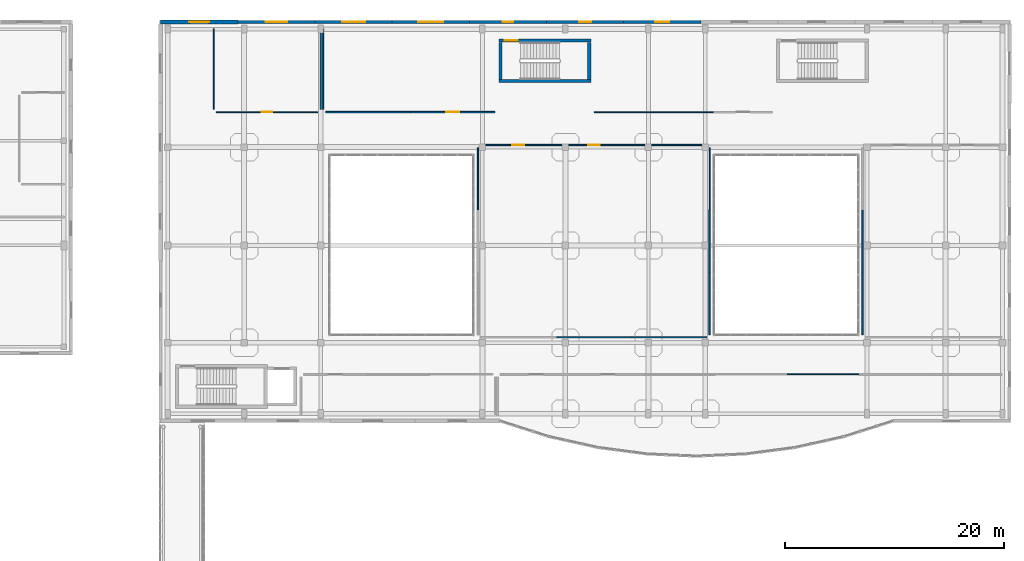
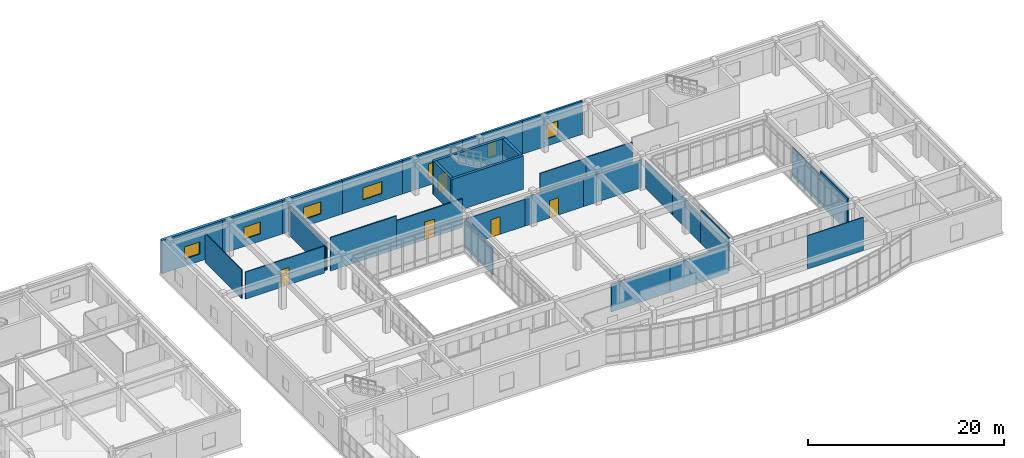
# One storey, part 126 of 142: 31 walls, 7 windows, 5 doors, 12 openings.
"""IFC4 building model written with IfcOpenShell, lengths in metres."""

import ifcopenshell
import ifcopenshell.guid

model = None  # the IFC model being written
_history = None  # IfcOwnerHistory: only IFC2X3 demands one
_inside = {}  # id of a spatial element -> (the spatial element, [elements in it])
_under = {}  # id of a project, library or spatial element -> (it, [spatial elements below it])
_declared = {}  # id of a project -> (the project, [libraries it declares])
_typed = {}  # id of a type object -> (the type object, [elements of that type])
_made_of = {}  # id of a material, layer set ... -> (it, [elements and type objects made of it])


def new_model(schema):
    """Start an empty IFC model of exactly this schema.

    Asked for "IFC4X3", IfcOpenShell would pick the latest addendum, in which some entities
    have other attributes; the version numbers below select the first issue.
    IFC2X3 requires an IfcOwnerHistory on every rooted entity: one is made here for all.
    """
    global model, _history
    if schema == "IFC4X3":
        model = ifcopenshell.file(schema_version=(4, 3, 0, 0))
    else:
        model = ifcopenshell.file(schema=schema)
    _inside.clear()
    _under.clear()
    _declared.clear()
    _typed.clear()
    _made_of.clear()
    _history = None
    if model.schema == "IFC2X3":
        org = make("IfcOrganization", Name="unknown")
        user = make(
            "IfcPersonAndOrganization",
            ThePerson=make("IfcPerson", FamilyName="unknown"),
            TheOrganization=org,
        )
        app = make(
            "IfcApplication",
            ApplicationDeveloper=org,
            Version="unknown",
            ApplicationFullName="unknown",
            ApplicationIdentifier="unknown",
        )
        _history = make(
            "IfcOwnerHistory",
            OwningUser=user,
            OwningApplication=app,
            ChangeAction="ADDED",
            CreationDate=0,
        )
    return model


def make(cls, **values):
    """One entity of the class cls with the attributes given. An attribute that is None is left unset."""
    return model.create_entity(
        cls, **{name: value for name, value in values.items() if value is not None}
    )


def rooted(cls, **values):
    """An entity with a GlobalId (a new one), such as an element, a storey or a relation."""
    return make(cls, GlobalId=ifcopenshell.guid.new(), OwnerHistory=_history, **values)


def si_unit(unit_type, name, prefix=None):
    """IfcSIUnit, for example si_unit("LENGTHUNIT", "METRE", prefix="MILLI")."""
    return make("IfcSIUnit", UnitType=unit_type, Prefix=prefix, Name=name)


def assignment(units):
    """IfcUnitAssignment: the units of a project."""
    return None if units is None else make("IfcUnitAssignment", Units=units)


def point(xyz):
    """IfcCartesianPoint."""
    return None if xyz is None else make("IfcCartesianPoint", Coordinates=xyz)


def direction(xyz):
    """IfcDirection."""
    return None if xyz is None else make("IfcDirection", DirectionRatios=xyz)


def frame(location, z_axis=None, x_axis=None):
    """IfcAxis2Placement3D, a coordinate frame: its origin and axes. An axis left out is left unset."""
    return make(
        "IfcAxis2Placement3D",
        Location=point(location),
        Axis=direction(z_axis),
        RefDirection=direction(x_axis),
    )


def frame_2d(location, x_axis=None):
    """IfcAxis2Placement2D, a coordinate frame in the plane: its origin and x axis."""
    return make(
        "IfcAxis2Placement2D", Location=point(location), RefDirection=direction(x_axis)
    )


def origin():
    """The frame at (0, 0, 0) with its axes left unset."""
    return frame((0.0, 0.0, 0.0))


def place(relative_to, where):
    """IfcLocalPlacement: puts the frame where relative to a parent placement (None: the world)."""
    return make(
        "IfcLocalPlacement", PlacementRelTo=relative_to, RelativePlacement=where
    )


def context(
    kind, dimensions, precision=None, world=None, true_north=None, identifier=None
):
    """IfcGeometricRepresentationContext, for example the 3D "Model" context."""
    return make(
        "IfcGeometricRepresentationContext",
        ContextIdentifier=identifier,
        ContextType=kind,
        CoordinateSpaceDimension=dimensions,
        Precision=precision,
        WorldCoordinateSystem=world,
        TrueNorth=true_north,
    )


def subcontext(parent, identifier, kind, view, scale=None):
    """IfcGeometricRepresentationSubContext, for example "Body" below "Model"."""
    return make(
        "IfcGeometricRepresentationSubContext",
        ContextIdentifier=identifier,
        ContextType=kind,
        ParentContext=parent,
        TargetScale=scale,
        TargetView=view,
    )


def project(units=None, contexts=None):
    """IfcProject with its units and contexts."""
    return rooted(
        "IfcProject",
        Name="project",
        RepresentationContexts=contexts,
        UnitsInContext=assignment(units),
    )


def spatial(cls, under=None, at=None, **own):
    """A site, building, storey or space (cls), placed at a placement, below another one or the project."""
    s = rooted(cls, ObjectPlacement=at, **own)
    if under is not None:
        _under.setdefault(under.id(), (under, []))[1].append(s)
    return s


def profile(cls, at=None, kind="AREA", **sizes):
    """A parametric profile (cls). Its sizes go by their IFC names, for example OverallWidth=200.0."""
    return make(cls, ProfileType=kind, Position=at, **sizes)


def rectangle(**sizes):
    """IfcRectangleProfileDef."""
    return profile("IfcRectangleProfileDef", **sizes)


def extrude(swept, where, along, depth):
    """IfcExtrudedAreaSolid: the profile swept, set in the frame where, extruded along a direction by depth."""
    return make(
        "IfcExtrudedAreaSolid",
        SweptArea=swept,
        Position=where,
        ExtrudedDirection=direction(along),
        Depth=depth,
    )


def shape(context_of_items, identifier, shape_type, items):
    """IfcShapeRepresentation: the items that make up one representation, for example the "Body"."""
    return make(
        "IfcShapeRepresentation",
        ContextOfItems=context_of_items,
        RepresentationIdentifier=identifier,
        RepresentationType=shape_type,
        Items=items,
    )


def material(Name=None, Category=None):
    """IfcMaterial."""
    return make("IfcMaterial", Name=Name, Category=Category)


def layer(
    of_material, thickness, ventilated=None, Name=None, Category=None, Priority=None
):
    """IfcMaterialLayer: one layer of a wall or slab, of a material (None: an air gap)."""
    return make(
        "IfcMaterialLayer",
        Material=of_material,
        LayerThickness=thickness,
        IsVentilated=ventilated,
        Name=Name,
        Category=Category,
        Priority=Priority,
    )


def layer_set(layers, Name=None):
    """IfcMaterialLayerSet."""
    return make("IfcMaterialLayerSet", MaterialLayers=layers, LayerSetName=Name)


def made_of(thing, what):
    """Note that an element or type object is made of a material, layer set ...; save() writes the relation."""
    if what is not None:
        _made_of.setdefault(what.id(), (what, []))[1].append(thing)
    return thing


def type_object(cls, material=None, **own):
    """A type object (cls), such as IfcWallType, which elements share."""
    return made_of(rooted(cls, **own), material)


def element(
    cls,
    number,
    at=None,
    inside=None,
    cuts=None,
    type_object=None,
    material=None,
    context=None,
    identifier="Body",
    shape_type=None,
    held_by="IfcProductDefinitionShape",
    body=None,
    shapes=None,
    **own,
):
    """One element of the class cls, such as IfcWall. Its Tag is "e" and its number.

    at: its placement. inside: the storey or other place that contains it. cuts: it is an
    opening in that element (IfcRelVoidsElement). A single representation is given by context,
    identifier, shape_type and body (its items); several are given by shapes. held_by: the class
    of the entity that holds the representations. save() writes the other relations.
    """
    e = rooted(cls, Tag="e%d" % number, ObjectPlacement=at, **own)
    if body is not None:
        shapes = [shape(context, identifier, shape_type, body)]
    if shapes is not None:
        e.Representation = make(held_by, Representations=shapes)
    if inside is not None:
        _inside.setdefault(inside.id(), (inside, []))[1].append(e)
    if cuts is not None:
        rooted(
            "IfcRelVoidsElement", RelatingBuildingElement=cuts, RelatedOpeningElement=e
        )
    if type_object is not None:
        _typed.setdefault(type_object.id(), (type_object, []))[1].append(e)
    return made_of(e, material)


def fill(opening, filler):
    """IfcRelFillsElement: the door or window that sits in an opening."""
    return rooted(
        "IfcRelFillsElement",
        RelatingOpeningElement=opening,
        RelatedBuildingElement=filler,
    )


def aggregate(whole, parts):
    """IfcRelAggregates: a whole, such as a stair, and the parts it consists of."""
    return rooted("IfcRelAggregates", RelatingObject=whole, RelatedObjects=parts)


def save(model, path):
    """Write the relations noted so far, then the file.

    IfcRelAggregates (storeys below a building ...), IfcRelContainedInSpatialStructure (elements
    in a storey), IfcRelDefinesByType, IfcRelAssociatesMaterial and IfcRelDeclares: one each for
    every whole, place, type object, material and project.
    """
    for whole, parts in _under.values():
        aggregate(whole, parts)
    for where, things in _inside.values():
        rooted(
            "IfcRelContainedInSpatialStructure",
            RelatedElements=things,
            RelatingStructure=where,
        )
    for kind, things in _typed.values():
        rooted("IfcRelDefinesByType", RelatedObjects=things, RelatingType=kind)
    for what, things in _made_of.values():
        rooted("IfcRelAssociatesMaterial", RelatedObjects=things, RelatingMaterial=what)
    for by, libraries in _declared.values():
        rooted("IfcRelDeclares", RelatingContext=by, RelatedDefinitions=libraries)
    model.write(path)


model = new_model("IFC4")

# Units and contexts
model_context = context("Model", 3, precision=1e-05, world=origin(), true_north=direction((0.0, 1.0)))
body_context = subcontext(model_context, "Body", "Model", "MODEL_VIEW")
ifc_project = project(units=[si_unit("LENGTHUNIT", "METRE"), si_unit("AREAUNIT", "SQUARE_METRE"), si_unit("VOLUMEUNIT", "CUBIC_METRE"), si_unit("PLANEANGLEUNIT", "RADIAN"), si_unit("MASSUNIT", "GRAM", prefix="KILO")], contexts=[model_context])

# Site, building, storey
site_placement = place(None, origin())
site = spatial("IfcSite", under=ifc_project, at=site_placement, CompositionType="ELEMENT")
building_placement = place(site_placement, origin())
building = spatial("IfcBuilding", under=site, at=building_placement, Name="Valcora Specialist Clinic", CompositionType="ELEMENT")
storey_placement = place(building_placement, frame((0.0, 0.0, 5.10009765625)))
storey = spatial("IfcBuildingStorey", under=building, at=storey_placement, Name="L01", CompositionType="ELEMENT", Elevation=5.10009765625)

# Wall
ifc_material_1 = material(Name="Concrete C40/50", Category="concrete")
ifc_layer_1 = layer(ifc_material_1, 0.300048828125)
ifc_layer_set_1 = layer_set([ifc_layer_1], Name="Concrete C40/50")
wall_type_1 = type_object("IfcWallType", Name="TY-WL-CR300", PredefinedType="SHEAR", material=ifc_layer_set_1)
wall_1_placement = place(storey_placement, frame((92.300048828125, 105.25, 0.0), z_axis=(0.0, 0.0, 1.0), x_axis=(1.0, 0.0, 0.0)))
element("IfcWall", 1, at=wall_1_placement, inside=storey, type_object=wall_type_1, Name="Core shear wall WL-CR-C-V4B-L01-S", PredefinedType="SHEAR", context=body_context, shape_type="SweptSolid", body=[
    extrude(rectangle(XDim=8.419921875, YDim=0.300048828125, at=frame_2d((4.2099609375, 0.0))), origin(), (0.0, 0.0, 1.0), 4.14501953125),
])

# Wall, opening, door
wall_2_placement = place(storey_placement, frame((92.300048828125, 108.949951171875, 0.0), z_axis=(0.0, 0.0, 1.0), x_axis=(1.0, 0.0, 0.0)))
wall_2 = element("IfcWall", 2, at=wall_2_placement, inside=storey, type_object=wall_type_1, Name="Core shear wall WL-CR-C-V4B-L01-N", PredefinedType="SHEAR", context=body_context, shape_type="SweptSolid", body=[
    extrude(rectangle(XDim=8.419921875, YDim=0.300048828125, at=frame_2d((4.2099609375, 0.0))), origin(), (0.0, 0.0, 1.0), 4.14501953125),
])
opening_1_placement = place(wall_2_placement, frame((0.550048828125, 0.0, 0.0)))
opening_1 = element("IfcOpeningElement", 3, at=opening_1_placement, cuts=wall_2, Name="Opening DR-FD-120", PredefinedType="OPENING", context=body_context, shape_type="SweptSolid", body=[
    extrude(rectangle(XDim=1.199951171875, YDim=2.199951171875, at=frame_2d((0.60009765625, 1.10009765625))), frame((0.0, 0.159912109375, 0.0), z_axis=(0.0, -1.0, 0.0), x_axis=(1.0, 0.0, 0.0)), (0.0, 0.0, 1.0), 0.320068359375),
])
ifc_material_2 = material(Name="Galvanized Hollow Metal Door Steel ASTM A653", Category="steel")
door_type_1 = type_object("IfcDoorType", Name="TY-DR-ST120", OperationType="NOTDEFINED", PredefinedType="DOOR", material=ifc_material_2)
door_1_placement = place(opening_1_placement, origin())
door_1 = element("IfcDoor", 4, at=door_1_placement, inside=storey, type_object=door_type_1, Name="Exit stair fire door C-V4B L01", OperationType="SINGLE_SWING_LEFT", OverallHeight=2.199951171875, OverallWidth=1.199951171875, PredefinedType="DOOR", context=body_context, shape_type="SweptSolid", body=[
    extrude(rectangle(XDim=1.199951171875, YDim=2.199951171875, at=frame_2d((0.60009765625, 1.10009765625))), frame((0.0, 0.02490234375, 0.0), z_axis=(0.0, -1.0, 0.0), x_axis=(1.0, 0.0, 0.0)), (0.0, 0.0, 1.0), 0.050048828125),
])
fill(opening_1, door_1)

# Walls
wall_3_placement = place(storey_placement, frame((92.449951171875, 105.402099609375, 0.0), z_axis=(0.0, 0.0, 1.0), x_axis=(0.0, 1.0, 0.0)))
element("IfcWall", 5, at=wall_3_placement, inside=storey, type_object=wall_type_1, Name="Core shear wall WL-CR-C-V4B-L01-W", PredefinedType="SHEAR", context=body_context, shape_type="SweptSolid", body=[
    extrude(rectangle(XDim=3.39599609375, YDim=0.300048828125, at=frame_2d((1.697998046875, 0.0))), origin(), (0.0, 0.0, 1.0), 4.14501953125),
])
ifc_layer_2 = layer(ifc_material_1, 0.320068359375)
ifc_layer_set_2 = layer_set([ifc_layer_2], Name="Concrete C40/50")
wall_type_2 = type_object("IfcWallType", Name="TY-WL-CR320", PredefinedType="SHEAR", material=ifc_layer_set_2)
wall_4_placement = place(storey_placement, frame((100.56005859375, 105.402099609375, 0.0), z_axis=(0.0, 0.0, 1.0), x_axis=(0.0, 1.0, 0.0)))
element("IfcWall", 6, at=wall_4_placement, inside=storey, type_object=wall_type_2, Name="Core shear wall WL-CR-C-V4B-L01-E", PredefinedType="SHEAR", context=body_context, shape_type="SweptSolid", body=[
    extrude(rectangle(XDim=3.39599609375, YDim=0.320068359375, at=frame_2d((1.697998046875, 0.0))), origin(), (0.0, 0.0, 1.0), 4.14501953125),
])

# Wall, opening, window
ifc_material_3 = material(Name="Extruded Jalisco Clay Brick Masonry", Category="masonry")
ifc_layer_3 = layer(ifc_material_3, 0.235107421875)
ifc_layer_set_3 = layer_set([ifc_layer_3], Name="Extruded Jalisco Clay Brick Masonry")
wall_type_3 = type_object("IfcWallType", Name="TY-WL-EW235", PredefinedType="SOLIDWALL", material=ifc_layer_set_3)
wall_5_placement = place(storey_placement, frame((103.731689453125, 110.64990234375, 0.0), z_axis=(0.0, 0.0, 1.0), x_axis=(1.0, 0.0, 0.0)))
wall_5 = element("IfcWall", 7, at=wall_5_placement, inside=storey, type_object=wall_type_3, Name="Exterior wall WL-EXT-L01-0160", PredefinedType="SOLIDWALL", context=body_context, shape_type="SweptSolid", body=[
    extrude(rectangle(XDim=7.063720703125, YDim=0.235107421875, at=frame_2d((3.53173828125, 0.0))), origin(), (0.0, 0.0, 1.0), 4.14501953125),
])
opening_2_placement = place(wall_5_placement, frame((2.906982421875, 0.0, 0.89990234375)))
opening_2 = element("IfcOpeningElement", 8, at=opening_2_placement, cuts=wall_5, Name="Opening WN-13", PredefinedType="OPENING", context=body_context, shape_type="SweptSolid", body=[
    extrude(rectangle(XDim=1.25, YDim=1.75, at=frame_2d((0.625, 0.875))), frame((0.0, 0.12744140625, 0.0), z_axis=(0.0, -1.0, 0.0), x_axis=(1.0, 0.0, 0.0)), (0.0, 0.0, 1.0), 0.255126953125),
])
ifc_material_4 = material(Name="Low-E Laminated Insulating Glass", Category="glass")
window_type_1 = type_object("IfcWindowType", Name="TY-WN-13", PartitioningType="SINGLE_PANEL", PredefinedType="WINDOW", material=ifc_material_4)
window_1_placement = place(opening_2_placement, origin())
window_1 = element("IfcWindow", 9, at=window_1_placement, inside=storey, type_object=window_type_1, Name="Facade window WN-L01-0139", OverallHeight=1.75, OverallWidth=1.25, PartitioningType="SINGLE_PANEL", PredefinedType="WINDOW", context=body_context, shape_type="SweptSolid", body=[
    extrude(rectangle(XDim=1.25, YDim=1.75, at=frame_2d((0.625, 0.875))), frame((0.0, 0.030029296875, 0.0), z_axis=(0.0, -1.0, 0.0), x_axis=(1.0, 0.0, 0.0)), (0.0, 0.0, 1.0), 0.06005859375),
])
fill(opening_2, window_1)

ifc_layer_4 = layer(ifc_material_3, 0.25)
ifc_layer_set_4 = layer_set([ifc_layer_4], Name="Extruded Jalisco Clay Brick Masonry")
wall_type_4 = type_object("IfcWallType", Name="TY-WL-EW250", PredefinedType="SOLIDWALL", material=ifc_layer_set_4)
wall_6_placement = place(storey_placement, frame((96.668212890625, 110.64990234375, 0.0), z_axis=(0.0, 0.0, 1.0), x_axis=(1.0, 0.0, 0.0)))
wall_6 = element("IfcWall", 10, at=wall_6_placement, inside=storey, type_object=wall_type_4, Name="Exterior wall WL-EXT-L01-0159", PredefinedType="SOLIDWALL", context=body_context, shape_type="SweptSolid", body=[
    extrude(rectangle(XDim=7.0634765625, YDim=0.25, at=frame_2d((3.53173828125, 0.0))), origin(), (0.0, 0.0, 1.0), 4.14501953125),
])
opening_3_placement = place(wall_6_placement, frame((2.98193359375, 0.0, 0.89990234375)))
opening_3 = element("IfcOpeningElement", 11, at=opening_3_placement, cuts=wall_6, Name="Opening WN-12", PredefinedType="OPENING", context=body_context, shape_type="SweptSolid", body=[
    extrude(rectangle(XDim=1.10009765625, YDim=1.75, at=frame_2d((0.550048828125, 0.875))), frame((0.0, 0.135009765625, 0.0), z_axis=(0.0, -1.0, 0.0), x_axis=(1.0, 0.0, 0.0)), (0.0, 0.0, 1.0), 0.27001953125),
])
window_type_2 = type_object("IfcWindowType", Name="TY-WN-12", PartitioningType="SINGLE_PANEL", PredefinedType="WINDOW", material=ifc_material_4)
window_2_placement = place(opening_3_placement, origin())
window_2 = element("IfcWindow", 12, at=window_2_placement, inside=storey, type_object=window_type_2, Name="Facade window WN-L01-0138", OverallHeight=1.75, OverallWidth=1.10009765625, PartitioningType="SINGLE_PANEL", PredefinedType="WINDOW", context=body_context, shape_type="SweptSolid", body=[
    extrude(rectangle(XDim=1.10009765625, YDim=1.75, at=frame_2d((0.550048828125, 0.875))), frame((0.0, 0.030029296875, 0.0), z_axis=(0.0, -1.0, 0.0), x_axis=(1.0, 0.0, 0.0)), (0.0, 0.0, 1.0), 0.06005859375),
])
fill(opening_3, window_2)

ifc_layer_5 = layer(ifc_material_3, 0.264892578125)
ifc_layer_set_5 = layer_set([ifc_layer_5], Name="Extruded Jalisco Clay Brick Masonry")
wall_type_5 = type_object("IfcWallType", Name="TY-WL-EW265", PredefinedType="SOLIDWALL", material=ifc_layer_set_5)
wall_7_placement = place(storey_placement, frame((89.6044921875, 110.64990234375, 0.0), z_axis=(0.0, 0.0, 1.0), x_axis=(1.0, 0.0, 0.0)))
wall_7 = element("IfcWall", 13, at=wall_7_placement, inside=storey, type_object=wall_type_5, Name="Exterior wall WL-EXT-L01-0158", PredefinedType="SOLIDWALL", context=body_context, shape_type="SweptSolid", body=[
    extrude(rectangle(XDim=7.063720703125, YDim=0.264892578125, at=frame_2d((3.53173828125, 0.0))), origin(), (0.0, 0.0, 1.0), 4.14501953125),
])
opening_4_placement = place(wall_7_placement, frame((3.056884765625, 0.0, 0.89990234375)))
opening_4 = element("IfcOpeningElement", 14, at=opening_4_placement, cuts=wall_7, Name="Opening WN-11", PredefinedType="OPENING", context=body_context, shape_type="SweptSolid", body=[
    extrude(rectangle(XDim=0.949951171875, YDim=1.75, at=frame_2d((0.47509765625, 0.875))), frame((0.0, 0.142333984375, 0.0), z_axis=(0.0, -1.0, 0.0), x_axis=(1.0, 0.0, 0.0)), (0.0, 0.0, 1.0), 0.284912109375),
])
window_type_3 = type_object("IfcWindowType", Name="TY-WN-11", PartitioningType="SINGLE_PANEL", PredefinedType="WINDOW", material=ifc_material_4)
window_3_placement = place(opening_4_placement, origin())
window_3 = element("IfcWindow", 15, at=window_3_placement, inside=storey, type_object=window_type_3, Name="Facade window WN-L01-0137", OverallHeight=1.75, OverallWidth=0.949951171875, PartitioningType="SINGLE_PANEL", PredefinedType="WINDOW", context=body_context, shape_type="SweptSolid", body=[
    extrude(rectangle(XDim=0.949951171875, YDim=1.75, at=frame_2d((0.47509765625, 0.875))), frame((0.0, 0.030029296875, 0.0), z_axis=(0.0, -1.0, 0.0), x_axis=(1.0, 0.0, 0.0)), (0.0, 0.0, 1.0), 0.06005859375),
])
fill(opening_4, window_3)

ifc_layer_6 = layer(ifc_material_3, 0.280029296875)
ifc_layer_set_6 = layer_set([ifc_layer_6], Name="Extruded Jalisco Clay Brick Masonry")
wall_type_6 = type_object("IfcWallType", Name="TY-WL-EW280", PredefinedType="SOLIDWALL", material=ifc_layer_set_6)
wall_8_placement = place(storey_placement, frame((82.541015625, 110.64990234375, 0.0), z_axis=(0.0, 0.0, 1.0), x_axis=(1.0, 0.0, 0.0)))
wall_8 = element("IfcWall", 16, at=wall_8_placement, inside=storey, type_object=wall_type_6, Name="Exterior wall WL-EXT-L01-0157", PredefinedType="SOLIDWALL", context=body_context, shape_type="SweptSolid", body=[
    extrude(rectangle(XDim=7.0634765625, YDim=0.280029296875, at=frame_2d((3.53173828125, 0.0))), origin(), (0.0, 0.0, 1.0), 4.14501953125),
])
opening_5_placement = place(wall_8_placement, frame((2.406982421875, 0.0, 0.89990234375)))
opening_5 = element("IfcOpeningElement", 17, at=opening_5_placement, cuts=wall_8, Name="Opening WN-10", PredefinedType="OPENING", context=body_context, shape_type="SweptSolid", body=[
    extrude(rectangle(XDim=2.25, YDim=1.5, at=frame_2d((1.125, 0.75))), frame((0.0, 0.14990234375, 0.0), z_axis=(0.0, -1.0, 0.0), x_axis=(1.0, 0.0, 0.0)), (0.0, 0.0, 1.0), 0.300048828125),
])
window_type_4 = type_object("IfcWindowType", Name="TY-WN-10", PartitioningType="SINGLE_PANEL", PredefinedType="WINDOW", material=ifc_material_4)
window_4_placement = place(opening_5_placement, origin())
window_4 = element("IfcWindow", 18, at=window_4_placement, inside=storey, type_object=window_type_4, Name="Facade window WN-L01-0136", OverallHeight=1.5, OverallWidth=2.25, PartitioningType="SINGLE_PANEL", PredefinedType="WINDOW", context=body_context, shape_type="SweptSolid", body=[
    extrude(rectangle(XDim=2.25, YDim=1.5, at=frame_2d((1.125, 0.75))), frame((0.0, 0.030029296875, 0.0), z_axis=(0.0, -1.0, 0.0), x_axis=(1.0, 0.0, 0.0)), (0.0, 0.0, 1.0), 0.06005859375),
])
fill(opening_5, window_4)

ifc_layer_7 = layer(ifc_material_3, 0.294921875)
ifc_layer_set_7 = layer_set([ifc_layer_7], Name="Extruded Jalisco Clay Brick Masonry")
wall_type_7 = type_object("IfcWallType", Name="TY-WL-EW295", PredefinedType="SOLIDWALL", material=ifc_layer_set_7)
wall_9_placement = place(storey_placement, frame((75.477294921875, 110.64990234375, 0.0), z_axis=(0.0, 0.0, 1.0), x_axis=(1.0, 0.0, 0.0)))
wall_9 = element("IfcWall", 19, at=wall_9_placement, inside=storey, type_object=wall_type_7, Name="Exterior wall WL-EXT-L01-0156", PredefinedType="SOLIDWALL", context=body_context, shape_type="SweptSolid", body=[
    extrude(rectangle(XDim=7.063720703125, YDim=0.294921875, at=frame_2d((3.53173828125, 0.0))), origin(), (0.0, 0.0, 1.0), 4.14501953125),
])
opening_6_placement = place(wall_9_placement, frame((2.48193359375, 0.0, 0.89990234375)))
opening_6 = element("IfcOpeningElement", 20, at=opening_6_placement, cuts=wall_9, Name="Opening WN-09", PredefinedType="OPENING", context=body_context, shape_type="SweptSolid", body=[
    extrude(rectangle(XDim=2.10009765625, YDim=1.5, at=frame_2d((1.050048828125, 0.75))), frame((0.0, 0.157470703125, 0.0), z_axis=(0.0, -1.0, 0.0), x_axis=(1.0, 0.0, 0.0)), (0.0, 0.0, 1.0), 0.31494140625),
])
window_type_5 = type_object("IfcWindowType", Name="TY-WN-09", PartitioningType="SINGLE_PANEL", PredefinedType="WINDOW", material=ifc_material_4)
window_5_placement = place(opening_6_placement, origin())
window_5 = element("IfcWindow", 21, at=window_5_placement, inside=storey, type_object=window_type_5, Name="Facade window WN-L01-0135", OverallHeight=1.5, OverallWidth=2.10009765625, PartitioningType="SINGLE_PANEL", PredefinedType="WINDOW", context=body_context, shape_type="SweptSolid", body=[
    extrude(rectangle(XDim=2.10009765625, YDim=1.5, at=frame_2d((1.050048828125, 0.75))), frame((0.0, 0.030029296875, 0.0), z_axis=(0.0, -1.0, 0.0), x_axis=(1.0, 0.0, 0.0)), (0.0, 0.0, 1.0), 0.06005859375),
])
fill(opening_6, window_5)

ifc_layer_8 = layer(ifc_material_3, 0.31005859375)
ifc_layer_set_8 = layer_set([ifc_layer_8], Name="Extruded Jalisco Clay Brick Masonry")
wall_type_8 = type_object("IfcWallType", Name="TY-WL-EW310", PredefinedType="SOLIDWALL", material=ifc_layer_set_8)
wall_10_placement = place(storey_placement, frame((68.41357421875, 110.64990234375, 0.0), z_axis=(0.0, 0.0, 1.0), x_axis=(1.0, 0.0, 0.0)))
wall_10 = element("IfcWall", 22, at=wall_10_placement, inside=storey, type_object=wall_type_8, Name="Exterior wall WL-EXT-L01-0155", PredefinedType="SOLIDWALL", context=body_context, shape_type="SweptSolid", body=[
    extrude(rectangle(XDim=7.063720703125, YDim=0.31005859375, at=frame_2d((3.53173828125, 0.0))), origin(), (0.0, 0.0, 1.0), 4.14501953125),
])
opening_7_placement = place(wall_10_placement, frame((2.556884765625, 0.0, 0.89990234375)))
opening_7 = element("IfcOpeningElement", 23, at=opening_7_placement, cuts=wall_10, Name="Opening WN-08", PredefinedType="OPENING", context=body_context, shape_type="SweptSolid", body=[
    extrude(rectangle(XDim=1.949951171875, YDim=1.5, at=frame_2d((0.97509765625, 0.75))), frame((0.0, 0.1650390625, 0.0), z_axis=(0.0, -1.0, 0.0), x_axis=(1.0, 0.0, 0.0)), (0.0, 0.0, 1.0), 0.330078125),
])
window_type_6 = type_object("IfcWindowType", Name="TY-WN-08", PartitioningType="SINGLE_PANEL", PredefinedType="WINDOW", material=ifc_material_4)
window_6_placement = place(opening_7_placement, origin())
window_6 = element("IfcWindow", 24, at=window_6_placement, inside=storey, type_object=window_type_6, Name="Facade window WN-L01-0134", OverallHeight=1.5, OverallWidth=1.949951171875, PartitioningType="SINGLE_PANEL", PredefinedType="WINDOW", context=body_context, shape_type="SweptSolid", body=[
    extrude(rectangle(XDim=1.949951171875, YDim=1.5, at=frame_2d((0.97509765625, 0.75))), frame((0.0, 0.030029296875, 0.0), z_axis=(0.0, -1.0, 0.0), x_axis=(1.0, 0.0, 0.0)), (0.0, 0.0, 1.0), 0.06005859375),
])
fill(opening_7, window_6)

ifc_layer_9 = layer(ifc_material_3, 0.324951171875)
ifc_layer_set_9 = layer_set([ifc_layer_9], Name="Extruded Jalisco Clay Brick Masonry")
wall_type_9 = type_object("IfcWallType", Name="TY-WL-EW325", PredefinedType="SOLIDWALL", material=ifc_layer_set_9)
wall_11_placement = place(storey_placement, frame((61.35009765625, 110.64990234375, 0.0), z_axis=(0.0, 0.0, 1.0), x_axis=(1.0, 0.0, 0.0)))
wall_11 = element("IfcWall", 25, at=wall_11_placement, inside=storey, type_object=wall_type_9, Name="Exterior wall WL-EXT-L01-0154", PredefinedType="SOLIDWALL", context=body_context, shape_type="SweptSolid", body=[
    extrude(rectangle(XDim=7.0634765625, YDim=0.324951171875, at=frame_2d((3.53173828125, 0.0))), origin(), (0.0, 0.0, 1.0), 4.14501953125),
])
opening_8_placement = place(wall_11_placement, frame((2.632080078125, 0.0, 0.89990234375)))
opening_8 = element("IfcOpeningElement", 26, at=opening_8_placement, cuts=wall_11, Name="Opening WN-07", PredefinedType="OPENING", context=body_context, shape_type="SweptSolid", body=[
    extrude(rectangle(XDim=1.800048828125, YDim=1.5, at=frame_2d((0.89990234375, 0.75))), frame((0.0, 0.17236328125, 0.0), z_axis=(0.0, -1.0, 0.0), x_axis=(1.0, 0.0, 0.0)), (0.0, 0.0, 1.0), 0.344970703125),
])
window_type_7 = type_object("IfcWindowType", Name="TY-WN-07", PartitioningType="SINGLE_PANEL", PredefinedType="WINDOW", material=ifc_material_4)
window_7_placement = place(opening_8_placement, origin())
window_7 = element("IfcWindow", 27, at=window_7_placement, inside=storey, type_object=window_type_7, Name="Facade window WN-L01-0133", OverallHeight=1.5, OverallWidth=1.800048828125, PartitioningType="SINGLE_PANEL", PredefinedType="WINDOW", context=body_context, shape_type="SweptSolid", body=[
    extrude(rectangle(XDim=1.800048828125, YDim=1.5, at=frame_2d((0.89990234375, 0.75))), frame((0.0, 0.030029296875, 0.0), z_axis=(0.0, -1.0, 0.0), x_axis=(1.0, 0.0, 0.0)), (0.0, 0.0, 1.0), 0.06005859375),
])
fill(opening_8, window_7)

# Walls
ifc_material_5 = material(Name="Gypsum Board Partition Assembly")
ifc_layer_10 = layer(ifc_material_5, 0.094970703125)
ifc_layer_set_10 = layer_set([ifc_layer_10], Name="Gypsum Board Partition Assembly")
wall_type_10 = type_object("IfcWallType", Name="TY-WL-PT095", PredefinedType="PARTITIONING", material=ifc_layer_set_10)
wall_12_placement = place(storey_placement, frame((118.678955078125, 78.39990234375, 0.0), z_axis=(0.0, 0.0, 1.0), x_axis=(1.0, 0.0, 0.0)))
element("IfcWall", 28, at=wall_12_placement, inside=storey, type_object=wall_type_10, Name="Interior partition WL-INT-L01-0209", PredefinedType="PARTITIONING", context=body_context, shape_type="SweptSolid", body=[
    extrude(rectangle(XDim=6.55712890625, YDim=0.094970703125, at=frame_2d((3.278564453125, 0.0))), origin(), (0.0, 0.0, 1.0), 4.14501953125),
])
wall_13_placement = place(storey_placement, frame((111.60009765625, 99.14990234375, 0.0), z_axis=(0.0, 0.0, 1.0), x_axis=(0.0, -1.0, 0.0)))
element("IfcWall", 29, at=wall_13_placement, inside=storey, type_object=wall_type_10, Name="Interior partition WL-INT-L01-0215", PredefinedType="PARTITIONING", context=body_context, shape_type="SweptSolid", body=[
    extrude(rectangle(XDim=5.699951171875, YDim=0.094970703125, at=frame_2d((2.85009765625, 0.0))), origin(), (0.0, 0.0, 1.0), 3.44482421875),
])
wall_14_placement = place(storey_placement, frame((66.199951171875, 102.64990234375, 0.0), z_axis=(0.0, 0.0, 1.0), x_axis=(0.0, 1.0, 0.0)))
element("IfcWall", 30, at=wall_14_placement, inside=storey, type_object=wall_type_10, Name="Interior partition WL-INT-L01-0233", PredefinedType="PARTITIONING", context=body_context, shape_type="SweptSolid", body=[
    extrude(rectangle(XDim=7.400146484375, YDim=0.094970703125, at=frame_2d((3.7001953125, 0.0))), origin(), (0.0, 0.0, 1.0), 3.594970703125),
])
wall_15_placement = place(storey_placement, frame((106.48291015625, 102.39990234375, 0.0), z_axis=(0.0, 0.0, 1.0), x_axis=(-1.0, 0.0, 0.0)))
element("IfcWall", 31, at=wall_15_placement, inside=storey, type_object=wall_type_10, Name="Interior partition WL-INT-L01-0239", PredefinedType="PARTITIONING", context=body_context, shape_type="SweptSolid", body=[
    extrude(rectangle(XDim=5.432861328125, YDim=0.094970703125, at=frame_2d((2.71630859375, 0.0))), origin(), (0.0, 0.0, 1.0), 3.494873046875),
])
ifc_layer_11 = layer(ifc_material_5, 0.10498046875)
ifc_layer_set_11 = layer_set([ifc_layer_11], Name="Gypsum Board Partition Assembly")
wall_type_11 = type_object("IfcWallType", Name="TY-WL-PT105", PredefinedType="PARTITIONING", material=ifc_layer_set_11)
wall_16_placement = place(storey_placement, frame((104.449951171875, 99.39990234375, 0.0), z_axis=(0.0, 0.0, 1.0), x_axis=(1.0, 0.0, 0.0)))
element("IfcWall", 32, at=wall_16_placement, inside=storey, type_object=wall_type_11, Name="Interior partition WL-INT-L01-0214", PredefinedType="PARTITIONING", context=body_context, shape_type="SweptSolid", body=[
    extrude(rectangle(XDim=6.900146484375, YDim=0.10498046875, at=frame_2d((3.4501953125, 0.0))), origin(), (0.0, 0.0, 1.0), 3.44482421875),
])

# Wall, opening, door
wall_17_placement = place(storey_placement, frame((75.75, 102.39990234375, 0.0), z_axis=(0.0, 0.0, 1.0), x_axis=(-1.0, 0.0, 0.0)))
wall_17 = element("IfcWall", 33, at=wall_17_placement, inside=storey, type_object=wall_type_11, Name="Interior partition WL-INT-L01-0232", PredefinedType="PARTITIONING", context=body_context, shape_type="SweptSolid", body=[
    extrude(rectangle(XDim=9.300048828125, YDim=0.10498046875, at=frame_2d((4.64990234375, 0.0))), origin(), (0.0, 0.0, 1.0), 3.344970703125),
])
opening_9_placement = place(wall_17_placement, frame((4.175048828125, 0.0, 0.0)))
opening_9 = element("IfcOpeningElement", 34, at=opening_9_placement, cuts=wall_17, Name="Opening DR-WC-095", PredefinedType="OPENING", context=body_context, shape_type="SweptSolid", body=[
    extrude(rectangle(XDim=0.949951171875, YDim=2.14990234375, at=frame_2d((0.47509765625, 1.074951171875))), frame((0.0, 0.0625, 0.0), z_axis=(0.0, -1.0, 0.0), x_axis=(1.0, 0.0, 0.0)), (0.0, 0.0, 1.0), 0.125),
])
ifc_material_6 = material(Name="Glulam Conifer Class 24F", Category="wood")
door_type_2 = type_object("IfcDoorType", Name="TY-DR-WC095", OperationType="NOTDEFINED", PredefinedType="DOOR", material=ifc_material_6)
door_2_placement = place(opening_9_placement, origin())
door_2 = element("IfcDoor", 35, at=door_2_placement, inside=storey, type_object=door_type_2, Name="Interior door DR-INT-L01-0064", OperationType="SINGLE_SWING_RIGHT", OverallHeight=2.14990234375, OverallWidth=0.949951171875, PredefinedType="DOOR", context=body_context, shape_type="SweptSolid", body=[
    extrude(rectangle(XDim=0.949951171875, YDim=2.14990234375, at=frame_2d((0.47509765625, 1.074951171875))), frame((0.0, 0.02490234375, 0.0), z_axis=(0.0, -1.0, 0.0), x_axis=(1.0, 0.0, 0.0)), (0.0, 0.0, 1.0), 0.050048828125),
])
fill(opening_9, door_2)

# Wall
wall_18_placement = place(storey_placement, frame((111.9169921875, 102.39990234375, 0.0), z_axis=(0.0, 0.0, 1.0), x_axis=(-1.0, 0.0, 0.0)))
element("IfcWall", 36, at=wall_18_placement, inside=storey, type_object=wall_type_11, Name="Interior partition WL-INT-L01-0238", PredefinedType="PARTITIONING", context=body_context, shape_type="SweptSolid", body=[
    extrude(rectangle(XDim=5.43408203125, YDim=0.10498046875, at=frame_2d((2.717041015625, 0.0))), origin(), (0.0, 0.0, 1.0), 3.594970703125),
])

# Wall, opening, door
ifc_layer_12 = layer(ifc_material_5, 0.114990234375)
ifc_layer_set_12 = layer_set([ifc_layer_12], Name="Gypsum Board Partition Assembly")
wall_type_12 = type_object("IfcWallType", Name="TY-WL-PT115", PredefinedType="PARTITIONING", material=ifc_layer_set_12)
wall_19_placement = place(storey_placement, frame((97.550048828125, 99.39990234375, 0.0), z_axis=(0.0, 0.0, 1.0), x_axis=(1.0, 0.0, 0.0)))
wall_19 = element("IfcWall", 37, at=wall_19_placement, inside=storey, type_object=wall_type_12, Name="Interior partition WL-INT-L01-0213", PredefinedType="PARTITIONING", context=body_context, shape_type="SweptSolid", body=[
    extrude(rectangle(XDim=6.89990234375, YDim=0.114990234375, at=frame_2d((3.449951171875, 0.0))), origin(), (0.0, 0.0, 1.0), 3.544921875),
])
opening_10_placement = place(wall_19_placement, frame((2.919921875, 0.0, 0.0)))
opening_10 = element("IfcOpeningElement", 38, at=opening_10_placement, cuts=wall_19, Name="Opening DR-CN-106", PredefinedType="OPENING", context=body_context, shape_type="SweptSolid", body=[
    extrude(rectangle(XDim=1.06005859375, YDim=2.14990234375, at=frame_2d((0.530029296875, 1.074951171875))), frame((0.0, 0.0673828125, 0.0), z_axis=(0.0, -1.0, 0.0), x_axis=(1.0, 0.0, 0.0)), (0.0, 0.0, 1.0), 0.135009765625),
])
door_type_3 = type_object("IfcDoorType", Name="TY-DR-CN106", OperationType="NOTDEFINED", PredefinedType="DOOR", material=ifc_material_6)
door_3_placement = place(opening_10_placement, origin())
door_3 = element("IfcDoor", 39, at=door_3_placement, inside=storey, type_object=door_type_3, Name="Interior door DR-INT-L01-0061", OperationType="SINGLE_SWING_LEFT", OverallHeight=2.14990234375, OverallWidth=1.06005859375, PredefinedType="DOOR", context=body_context, shape_type="SweptSolid", body=[
    extrude(rectangle(XDim=1.06005859375, YDim=2.14990234375, at=frame_2d((0.530029296875, 1.074951171875))), frame((0.0, 0.02490234375, 0.0), z_axis=(0.0, -1.0, 0.0), x_axis=(1.0, 0.0, 0.0)), (0.0, 0.0, 1.0), 0.050048828125),
])
fill(opening_10, door_3)

# Walls
wall_20_placement = place(storey_placement, frame((104.449951171875, 81.800048828125, 0.0), z_axis=(0.0, 0.0, 1.0), x_axis=(-1.0, 0.0, 0.0)))
element("IfcWall", 40, at=wall_20_placement, inside=storey, type_object=wall_type_12, Name="Interior partition WL-INT-L01-0219", PredefinedType="PARTITIONING", context=body_context, shape_type="SweptSolid", body=[
    extrude(rectangle(XDim=6.89990234375, YDim=0.114990234375, at=frame_2d((3.449951171875, 0.0))), origin(), (0.0, 0.0, 1.0), 3.44482421875),
])
wall_21_placement = place(storey_placement, frame((76.0, 110.050048828125, 0.0), z_axis=(0.0, 0.0, 1.0), x_axis=(0.0, -1.0, 0.0)))
element("IfcWall", 41, at=wall_21_placement, inside=storey, type_object=wall_type_12, Name="Interior partition WL-INT-L01-0231", PredefinedType="PARTITIONING", context=body_context, shape_type="SweptSolid", body=[
    extrude(rectangle(XDim=7.400146484375, YDim=0.114990234375, at=frame_2d((3.7001953125, 0.0))), origin(), (0.0, 0.0, 1.0), 3.44482421875),
])

# Wall, opening, door
ifc_layer_13 = layer(ifc_material_5, 0.125)
ifc_layer_set_13 = layer_set([ifc_layer_13], Name="Gypsum Board Partition Assembly")
wall_type_13 = type_object("IfcWallType", Name="TY-WL-PT125", PredefinedType="PARTITIONING", material=ifc_layer_set_13)
wall_22_placement = place(storey_placement, frame((90.64990234375, 99.39990234375, 0.0), z_axis=(0.0, 0.0, 1.0), x_axis=(1.0, 0.0, 0.0)))
wall_22 = element("IfcWall", 42, at=wall_22_placement, inside=storey, type_object=wall_type_13, Name="Interior partition WL-INT-L01-0212", PredefinedType="PARTITIONING", context=body_context, shape_type="SweptSolid", body=[
    extrude(rectangle(XDim=6.900146484375, YDim=0.125, at=frame_2d((3.4501953125, 0.0))), origin(), (0.0, 0.0, 1.0), 3.344970703125),
])
opening_11_placement = place(wall_22_placement, frame((2.89990234375, 0.0, 0.0)))
opening_11 = element("IfcOpeningElement", 43, at=opening_11_placement, cuts=wall_22, Name="Opening DR-CN-110", PredefinedType="OPENING", context=body_context, shape_type="SweptSolid", body=[
    extrude(rectangle(XDim=1.10009765625, YDim=2.199951171875, at=frame_2d((0.550048828125, 1.10009765625))), frame((0.0, 0.072509765625, 0.0), z_axis=(0.0, -1.0, 0.0), x_axis=(1.0, 0.0, 0.0)), (0.0, 0.0, 1.0), 0.14501953125),
])
door_type_4 = type_object("IfcDoorType", Name="TY-DR-CN110", OperationType="NOTDEFINED", PredefinedType="DOOR", material=ifc_material_6)
door_4_placement = place(opening_11_placement, origin())
door_4 = element("IfcDoor", 44, at=door_4_placement, inside=storey, type_object=door_type_4, Name="Interior door DR-INT-L01-0060", OperationType="SINGLE_SWING_RIGHT", OverallHeight=2.199951171875, OverallWidth=1.10009765625, PredefinedType="DOOR", context=body_context, shape_type="SweptSolid", body=[
    extrude(rectangle(XDim=1.10009765625, YDim=2.199951171875, at=frame_2d((0.550048828125, 1.10009765625))), frame((0.0, 0.02490234375, 0.0), z_axis=(0.0, -1.0, 0.0), x_axis=(1.0, 0.0, 0.0)), (0.0, 0.0, 1.0), 0.050048828125),
])
fill(opening_11, door_4)

# Walls
wall_23_placement = place(storey_placement, frame((111.35009765625, 81.800048828125, 0.0), z_axis=(0.0, 0.0, 1.0), x_axis=(-1.0, 0.0, 0.0)))
element("IfcWall", 45, at=wall_23_placement, inside=storey, type_object=wall_type_13, Name="Interior partition WL-INT-L01-0218", PredefinedType="PARTITIONING", context=body_context, shape_type="SweptSolid", body=[
    extrude(rectangle(XDim=6.900146484375, YDim=0.125, at=frame_2d((3.4501953125, 0.0))), origin(), (0.0, 0.0, 1.0), 3.39501953125),
])
wall_24_placement = place(storey_placement, frame((76.199951171875, 102.64990234375, 0.0), z_axis=(0.0, 0.0, 1.0), x_axis=(0.0, 1.0, 0.0)))
element("IfcWall", 46, at=wall_24_placement, inside=storey, type_object=wall_type_13, Name="Interior partition WL-INT-L01-0236", PredefinedType="PARTITIONING", context=body_context, shape_type="SweptSolid", body=[
    extrude(rectangle(XDim=7.400146484375, YDim=0.125, at=frame_2d((3.7001953125, 0.0))), origin(), (0.0, 0.0, 1.0), 3.44482421875),
])
ifc_layer_14 = layer(ifc_material_5, 0.135009765625)
ifc_layer_set_14 = layer_set([ifc_layer_14], Name="Gypsum Board Partition Assembly")
wall_type_14 = type_object("IfcWallType", Name="TY-WL-PT135", PredefinedType="PARTITIONING", material=ifc_layer_set_14)
wall_25_placement = place(storey_placement, frame((111.60009765625, 87.75, 0.0), z_axis=(0.0, 0.0, 1.0), x_axis=(0.0, -1.0, 0.0)))
element("IfcWall", 47, at=wall_25_placement, inside=storey, type_object=wall_type_14, Name="Interior partition WL-INT-L01-0217", PredefinedType="PARTITIONING", context=body_context, shape_type="SweptSolid", body=[
    extrude(rectangle(XDim=5.699951171875, YDim=0.135009765625, at=frame_2d((2.85009765625, 0.0))), origin(), (0.0, 0.0, 1.0), 4.14501953125),
])
wall_26_placement = place(storey_placement, frame((90.39990234375, 93.449951171875, 0.0), z_axis=(0.0, 0.0, 1.0), x_axis=(0.0, 1.0, 0.0)))
element("IfcWall", 48, at=wall_26_placement, inside=storey, type_object=wall_type_14, Name="Interior partition WL-INT-L01-0223", PredefinedType="PARTITIONING", context=body_context, shape_type="SweptSolid", body=[
    extrude(rectangle(XDim=5.699951171875, YDim=0.135009765625, at=frame_2d((2.85009765625, 0.0))), origin(), (0.0, 0.0, 1.0), 3.344970703125),
])
wall_27_placement = place(storey_placement, frame((125.60009765625, 87.75, 0.0), z_axis=(0.0, 0.0, 1.0), x_axis=(0.0, 1.0, 0.0)))
element("IfcWall", 49, at=wall_27_placement, inside=storey, type_object=wall_type_14, Name="Interior partition WL-INT-L01-0229", PredefinedType="PARTITIONING", context=body_context, shape_type="SweptSolid", body=[
    extrude(rectangle(XDim=5.699951171875, YDim=0.135009765625, at=frame_2d((2.85009765625, 0.0))), origin(), (0.0, 0.0, 1.0), 3.594970703125),
])
wall_28_placement = place(storey_placement, frame((84.199951171875, 102.39990234375, 0.0), z_axis=(0.0, 0.0, 1.0), x_axis=(-1.0, 0.0, 0.0)))
element("IfcWall", 50, at=wall_28_placement, inside=storey, type_object=wall_type_14, Name="Interior partition WL-INT-L01-0235", PredefinedType="PARTITIONING", context=body_context, shape_type="SweptSolid", body=[
    extrude(rectangle(XDim=7.75, YDim=0.135009765625, at=frame_2d((3.875, 0.0))), origin(), (0.0, 0.0, 1.0), 4.14501953125),
])
ifc_layer_15 = layer(ifc_material_5, 0.14501953125)
ifc_layer_set_15 = layer_set([ifc_layer_15], Name="Gypsum Board Partition Assembly")
wall_type_15 = type_object("IfcWallType", Name="TY-WL-PT145", PredefinedType="PARTITIONING", material=ifc_layer_set_15)
wall_29_placement = place(storey_placement, frame((111.60009765625, 93.449951171875, 0.0), z_axis=(0.0, 0.0, 1.0), x_axis=(0.0, -1.0, 0.0)))
element("IfcWall", 51, at=wall_29_placement, inside=storey, type_object=wall_type_15, Name="Interior partition WL-INT-L01-0216", PredefinedType="PARTITIONING", context=body_context, shape_type="SweptSolid", body=[
    extrude(rectangle(XDim=5.699951171875, YDim=0.14501953125, at=frame_2d((2.85009765625, 0.0))), origin(), (0.0, 0.0, 1.0), 3.594970703125),
])
wall_30_placement = place(storey_placement, frame((125.60009765625, 82.050048828125, 0.0), z_axis=(0.0, 0.0, 1.0), x_axis=(0.0, 1.0, 0.0)))
element("IfcWall", 52, at=wall_30_placement, inside=storey, type_object=wall_type_15, Name="Interior partition WL-INT-L01-0228", PredefinedType="PARTITIONING", context=body_context, shape_type="SweptSolid", body=[
    extrude(rectangle(XDim=5.699951171875, YDim=0.14501953125, at=frame_2d((2.85009765625, 0.0))), origin(), (0.0, 0.0, 1.0), 4.14501953125),
])

# Wall, opening, door
wall_31_placement = place(storey_placement, frame((91.949951171875, 102.39990234375, 0.0), z_axis=(0.0, 0.0, 1.0), x_axis=(-1.0, 0.0, 0.0)))
wall_31 = element("IfcWall", 53, at=wall_31_placement, inside=storey, type_object=wall_type_15, Name="Interior partition WL-INT-L01-0234", PredefinedType="PARTITIONING", context=body_context, shape_type="SweptSolid", body=[
    extrude(rectangle(XDim=7.75, YDim=0.14501953125, at=frame_2d((3.875, 0.0))), origin(), (0.0, 0.0, 1.0), 3.544921875),
])
opening_12_placement = place(wall_31_placement, frame((3.284912109375, 0.0, 0.0)))
opening_12 = element("IfcOpeningElement", 54, at=opening_12_placement, cuts=wall_31, Name="Opening DR-CN-118", PredefinedType="OPENING", context=body_context, shape_type="SweptSolid", body=[
    extrude(rectangle(XDim=1.179931640625, YDim=2.199951171875, at=frame_2d((0.58984375, 1.10009765625))), frame((0.0, 0.08251953125, 0.0), z_axis=(0.0, -1.0, 0.0), x_axis=(1.0, 0.0, 0.0)), (0.0, 0.0, 1.0), 0.1650390625),
])
door_type_5 = type_object("IfcDoorType", Name="TY-DR-CN118", OperationType="NOTDEFINED", PredefinedType="DOOR", material=ifc_material_6)
door_5_placement = place(opening_12_placement, origin())
door_5 = element("IfcDoor", 55, at=door_5_placement, inside=storey, type_object=door_type_5, Name="Interior door DR-INT-L01-0065", OperationType="SINGLE_SWING_LEFT", OverallHeight=2.199951171875, OverallWidth=1.179931640625, PredefinedType="DOOR", context=body_context, shape_type="SweptSolid", body=[
    extrude(rectangle(XDim=1.179931640625, YDim=2.199951171875, at=frame_2d((0.58984375, 1.10009765625))), frame((0.0, 0.02490234375, 0.0), z_axis=(0.0, -1.0, 0.0), x_axis=(1.0, 0.0, 0.0)), (0.0, 0.0, 1.0), 0.050048828125),
])
fill(opening_12, door_5)

save(model, "model.ifc")
